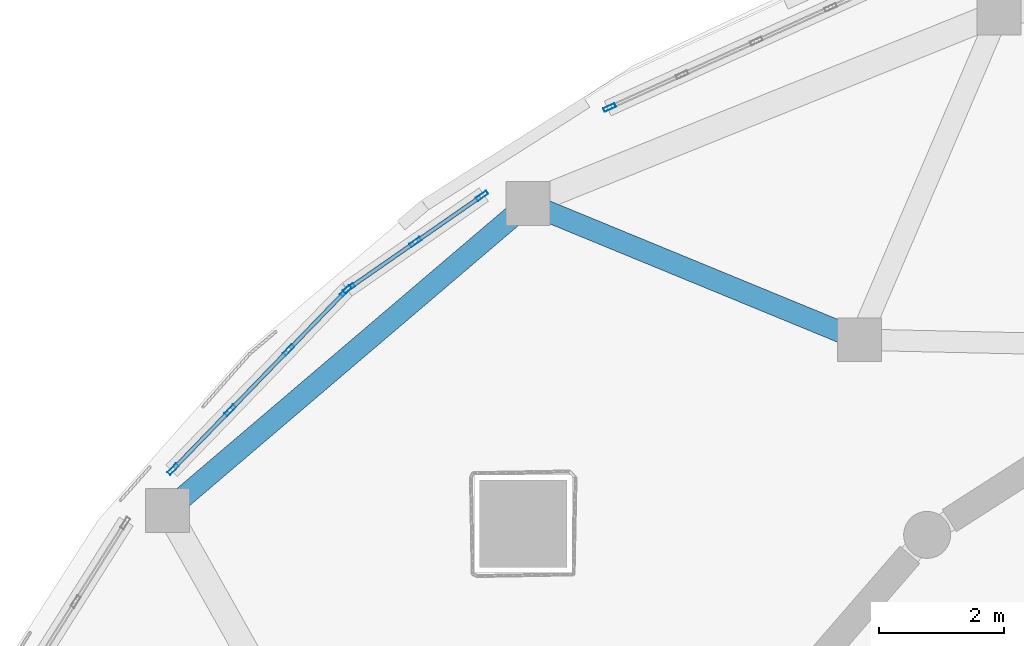
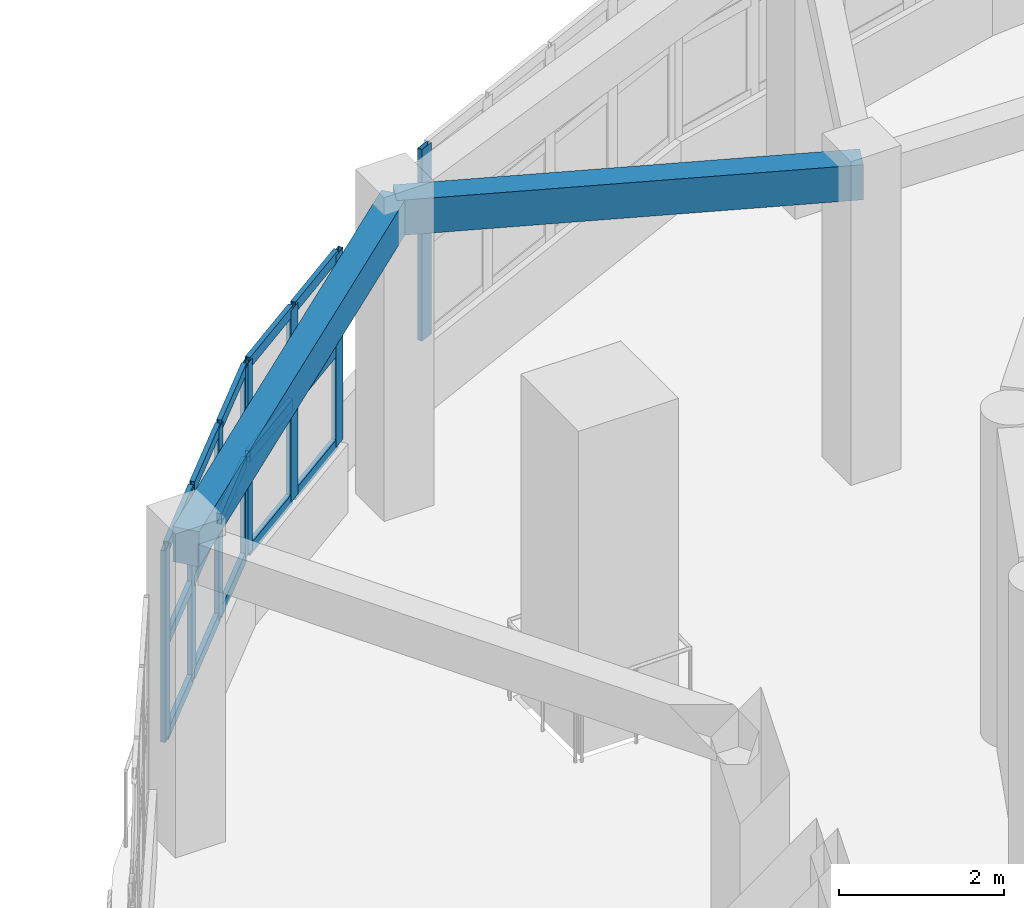
# One storey, part 42 of 98: 23 members, 2 beams, 3 elements without a shape of their own.
"""IFC4 building model written with IfcOpenShell, lengths in metres."""

from ifc_helpers import new_model, si_unit, direction, frame, origin, origin_2d, place, context, subcontext, project, spatial, rectangle, hollow_rectangle, extrude, material, layer, layer_set, material_profile, profile_set, type_object, element, aggregate, save


model = new_model("IFC4")

# Units and contexts
model_context = context("Model", 3, precision=1e-05, world=origin(), true_north=direction((0.0, 1.0)))
body_context = subcontext(model_context, "Body", "Model", "MODEL_VIEW")
ifc_project = project(units=[si_unit("LENGTHUNIT", "METRE"), si_unit("AREAUNIT", "SQUARE_METRE"), si_unit("VOLUMEUNIT", "CUBIC_METRE"), si_unit("PLANEANGLEUNIT", "RADIAN"), si_unit("MASSUNIT", "GRAM", prefix="KILO")], contexts=[model_context])

# Site, building, storey
site_placement = place(None, origin())
site = spatial("IfcSite", under=ifc_project, at=site_placement, CompositionType="ELEMENT")
building_placement = place(site_placement, origin())
building = spatial("IfcBuilding", under=site, at=building_placement, Name="Pelvatis Terrace Science Centre", CompositionType="ELEMENT")
storey_placement = place(building_placement, frame((0.0, 0.0, 5.39990234375)))
storey = spatial("IfcBuildingStorey", under=building, at=storey_placement, Name="L01", CompositionType="ELEMENT", Elevation=5.39990234375)

# Beams
ifc_material_1 = material(Name="Concrete C35/45", Category="concrete")
ifc_material_profile_1 = material_profile(ifc_material_1, rectangle(XDim=0.340087890625, YDim=0.52001953125, at=origin_2d()), Name="RC-BM 340x520")
ifc_profile_set_1 = profile_set([ifc_material_profile_1], Name="Concrete C35/45")
beam_type = type_object("IfcBeamType", Name="BM-RC-340x520", PredefinedType="BEAM", material=ifc_profile_set_1)
beam_1_placement = place(storey_placement, frame((94.575927734375, 100.61376953125, 4.280029296875), z_axis=(-0.761281604666, -0.64842140495, 0.0), x_axis=(0.64842140495, -0.761281604666, 0.0)))
element("IfcBeam", 1, at=beam_1_placement, inside=storey, type_object=beam_type, Name="Beam BM-L01-2633", PredefinedType="BEAM", context=body_context, shape_type="SweptSolid", body=[
    extrude(rectangle(XDim=0.340087890625, YDim=0.52001953125, at=origin_2d()), origin(), (0.0, 0.0, 1.0), 7.560546875),
])
beam_2_placement = place(storey_placement, frame((94.575927734375, 100.61376953125, 4.280029296875), z_axis=(0.924857425054, -0.380314006214, 0.0), x_axis=(0.380314006214, 0.924857425054, 0.0)))
element("IfcBeam", 2, at=beam_2_placement, inside=storey, type_object=beam_type, Name="Beam BM-L01-2634", PredefinedType="BEAM", context=body_context, shape_type="SweptSolid", body=[
    extrude(rectangle(XDim=0.340087890625, YDim=0.52001953125, at=origin_2d()), origin(), (0.0, 0.0, 1.0), 5.720458984375),
])

# Curtain wall, member
ifc_material_2 = material(Name="Bronze-anodised aluminium and laminated glass", Category="aluminium")
ifc_layer = layer(ifc_material_2, 0.199951171875)
ifc_layer_set = layer_set([ifc_layer], Name="Bronze-anodised aluminium and laminated glass")
curtain_wall_type = type_object("IfcCurtainWallType", Name="CW-RIBBON-B", PredefinedType="NOTDEFINED", material=ifc_layer_set)
curtain_wall_1_placement = place(storey_placement, origin())
curtain_wall_1 = element("IfcCurtainWall", 3, at=curtain_wall_1_placement, inside=storey, type_object=curtain_wall_type, Name="Ribbon curtain wall CW-135 (L01)", PredefinedType="NOTDEFINED")
ifc_material_3 = material(Name="Bronze-anodised aluminium 6063-T6", Category="aluminium")
ifc_material_profile_2 = material_profile(ifc_material_3, hollow_rectangle(XDim=0.06494140625, YDim=0.199951171875, WallThickness=0.00439453125, at=origin_2d()), Name="ALU-MUL 65x200")
ifc_profile_set_2 = profile_set([ifc_material_profile_2], Name="Bronze-anodised aluminium 6063-T6")
member_type_1 = type_object("IfcMemberType", Name="CWM-65x200", PredefinedType="MULLION", material=ifc_profile_set_2)
member_1_placement = place(storey_placement, frame((95.879150390625, 102.14501953125, 1.02001953125), z_axis=(0.0, 0.0, 1.0), x_axis=(0.412428504596, -0.910989971732, 0.0)))
member_1 = element("IfcMember", 4, at=member_1_placement, type_object=member_type_1, Name="CW-135 mullion 5", PredefinedType="MULLION", context=body_context, shape_type="SweptSolid", body=[
    extrude(hollow_rectangle(XDim=0.06494140625, YDim=0.199951171875, WallThickness=0.00439453125, at=origin_2d()), origin(), (0.0, 0.0, 1.0), 2.840087890625),
])
aggregate(curtain_wall_1, [member_1])

# Curtain wall, members
curtain_wall_2_placement = place(storey_placement, origin())
curtain_wall_2 = element("IfcCurtainWall", 5, at=curtain_wall_2_placement, inside=storey, type_object=curtain_wall_type, Name="Ribbon curtain wall CW-136 (L01)", PredefinedType="NOTDEFINED")
member_2_placement = place(storey_placement, frame((93.84228515625, 100.736328125, 1.02001953125), z_axis=(0.0, 0.0, 1.0), x_axis=(0.570753090857, -0.821121738402, 0.0)))
member_2 = element("IfcMember", 6, at=member_2_placement, type_object=member_type_1, Name="CW-136 mullion 1", PredefinedType="MULLION", context=body_context, shape_type="SweptSolid", body=[
    extrude(hollow_rectangle(XDim=0.06494140625, YDim=0.199951171875, WallThickness=0.00439453125, at=origin_2d()), origin(), (0.0, 0.0, 1.0), 2.840087890625),
])
member_3_placement = place(storey_placement, frame((92.779296875, 99.99755859375, 1.02001953125), z_axis=(0.0, 0.0, 1.0), x_axis=(0.570753090857, -0.821121738402, 0.0)))
member_3 = element("IfcMember", 7, at=member_3_placement, type_object=member_type_1, Name="CW-136 mullion 2", PredefinedType="MULLION", context=body_context, shape_type="SweptSolid", body=[
    extrude(hollow_rectangle(XDim=0.06494140625, YDim=0.199951171875, WallThickness=0.00439453125, at=origin_2d()), origin(), (0.0, 0.0, 1.0), 2.840087890625),
])
member_4_placement = place(storey_placement, frame((91.716552734375, 99.2587890625, 1.02001953125), z_axis=(0.0, 0.0, 1.0), x_axis=(0.570753090857, -0.821121738402, 0.0)))
member_4 = element("IfcMember", 8, at=member_4_placement, type_object=member_type_1, Name="CW-136 mullion 3", PredefinedType="MULLION", context=body_context, shape_type="SweptSolid", body=[
    extrude(hollow_rectangle(XDim=0.06494140625, YDim=0.199951171875, WallThickness=0.00439453125, at=origin_2d()), origin(), (0.0, 0.0, 1.0), 2.840087890625),
])

curtain_wall_3_placement = place(storey_placement, origin())
curtain_wall_3 = element("IfcCurtainWall", 9, at=curtain_wall_3_placement, inside=storey, type_object=curtain_wall_type, Name="Ribbon curtain wall CW-137 (L01)", PredefinedType="NOTDEFINED")
member_5_placement = place(storey_placement, frame((91.667236328125, 99.216796875, 1.02001953125), z_axis=(0.0, 0.0, 1.0), x_axis=(0.718169709037, -0.695867996837, 0.0)))
member_5 = element("IfcMember", 10, at=member_5_placement, type_object=member_type_1, Name="CW-137 mullion 1", PredefinedType="MULLION", context=body_context, shape_type="SweptSolid", body=[
    extrude(hollow_rectangle(XDim=0.06494140625, YDim=0.199951171875, WallThickness=0.00439453125, at=origin_2d()), origin(), (0.0, 0.0, 1.0), 2.840087890625),
])
member_6_placement = place(storey_placement, frame((90.7548828125, 98.275146484375, 1.02001953125), z_axis=(0.0, 0.0, 1.0), x_axis=(0.718169709037, -0.695867996837, 0.0)))
member_6 = element("IfcMember", 11, at=member_6_placement, type_object=member_type_1, Name="CW-137 mullion 2", PredefinedType="MULLION", context=body_context, shape_type="SweptSolid", body=[
    extrude(hollow_rectangle(XDim=0.06494140625, YDim=0.199951171875, WallThickness=0.00439453125, at=origin_2d()), origin(), (0.0, 0.0, 1.0), 2.840087890625),
])
member_7_placement = place(storey_placement, frame((89.81982421875, 97.310302734375, 1.02001953125), z_axis=(0.0, 0.0, 1.0), x_axis=(0.718169709037, -0.695867996837, 0.0)))
member_7 = element("IfcMember", 12, at=member_7_placement, type_object=member_type_1, Name="CW-137 mullion 3", PredefinedType="MULLION", context=body_context, shape_type="SweptSolid", body=[
    extrude(hollow_rectangle(XDim=0.06494140625, YDim=0.199951171875, WallThickness=0.00439453125, at=origin_2d()), origin(), (0.0, 0.0, 1.0), 2.840087890625),
])
member_8_placement = place(storey_placement, frame((88.907470703125, 96.36865234375, 1.02001953125), z_axis=(0.0, 0.0, 1.0), x_axis=(0.718169709037, -0.695867996837, 0.0)))
member_8 = element("IfcMember", 13, at=member_8_placement, type_object=member_type_1, Name="CW-137 mullion 4", PredefinedType="MULLION", context=body_context, shape_type="SweptSolid", body=[
    extrude(hollow_rectangle(XDim=0.06494140625, YDim=0.199951171875, WallThickness=0.00439453125, at=origin_2d()), origin(), (0.0, 0.0, 1.0), 2.840087890625),
])

# Member
ifc_material_4 = material(Name="Bronze-anodised aluminium 6063-T6", Category="aluminium")
ifc_material_profile_3 = material_profile(ifc_material_4, hollow_rectangle(XDim=0.06494140625, YDim=0.159912109375, WallThickness=0.00390625, at=origin_2d()), Name="ALU-TRN 65x160")
ifc_profile_set_3 = profile_set([ifc_material_profile_3], Name="Bronze-anodised aluminium 6063-T6")
member_type_2 = type_object("IfcMemberType", Name="CWT-65x160", PredefinedType="USERDEFINED", material=ifc_profile_set_3)
member_9_placement = place(storey_placement, frame((93.8154296875, 100.7177734375, 1.052490234375), z_axis=(-0.821075190123, -0.57082005235, 0.0), x_axis=(0.57082005235, -0.821075190123, 0.0)))
member_9 = element("IfcMember", 14, at=member_9_placement, type_object=member_type_2, Name="CW-136 transom 1.1", ObjectType="TRANSOM", PredefinedType="USERDEFINED", context=body_context, shape_type="SweptSolid", body=[
    extrude(hollow_rectangle(XDim=0.06494140625, YDim=0.159912109375, WallThickness=0.00390625, at=origin_2d()), origin(), (0.0, 0.0, 1.0), 1.229248046875),
])

member_10_placement = place(storey_placement, frame((93.8154296875, 100.7177734375, 2.440185546875), z_axis=(-0.821075190123, -0.57082005235, 0.0), x_axis=(0.57082005235, -0.821075190123, 0.0)))
member_10 = element("IfcMember", 15, at=member_10_placement, type_object=member_type_2, Name="CW-136 transom 1.2", ObjectType="TRANSOM", PredefinedType="USERDEFINED", context=body_context, shape_type="SweptSolid", body=[
    extrude(hollow_rectangle(XDim=0.06494140625, YDim=0.159912109375, WallThickness=0.00390625, at=origin_2d()), origin(), (0.0, 0.0, 1.0), 1.229248046875),
])

member_11_placement = place(storey_placement, frame((93.8154296875, 100.7177734375, 3.82763671875), z_axis=(-0.821075190123, -0.57082005235, 0.0), x_axis=(0.57082005235, -0.821075190123, 0.0)))
member_11 = element("IfcMember", 16, at=member_11_placement, type_object=member_type_2, Name="CW-136 transom 1.3", ObjectType="TRANSOM", PredefinedType="USERDEFINED", context=body_context, shape_type="SweptSolid", body=[
    extrude(hollow_rectangle(XDim=0.06494140625, YDim=0.159912109375, WallThickness=0.00390625, at=origin_2d()), origin(), (0.0, 0.0, 1.0), 1.229248046875),
])

member_12_placement = place(storey_placement, frame((92.752685546875, 99.97900390625, 1.052490234375), z_axis=(-0.821139890181, -0.570726975666, 0.0), x_axis=(0.570726975666, -0.821139890181, 0.0)))
member_12 = element("IfcMember", 17, at=member_12_placement, type_object=member_type_2, Name="CW-136 transom 2.1", ObjectType="TRANSOM", PredefinedType="USERDEFINED", context=body_context, shape_type="SweptSolid", body=[
    extrude(hollow_rectangle(XDim=0.06494140625, YDim=0.159912109375, WallThickness=0.00390625, at=origin_2d()), origin(), (0.0, 0.0, 1.0), 1.2294921875),
])

member_13_placement = place(storey_placement, frame((92.752685546875, 99.97900390625, 2.440185546875), z_axis=(-0.821139890181, -0.570726975666, 0.0), x_axis=(0.570726975666, -0.821139890181, 0.0)))
member_13 = element("IfcMember", 18, at=member_13_placement, type_object=member_type_2, Name="CW-136 transom 2.2", ObjectType="TRANSOM", PredefinedType="USERDEFINED", context=body_context, shape_type="SweptSolid", body=[
    extrude(hollow_rectangle(XDim=0.06494140625, YDim=0.159912109375, WallThickness=0.00390625, at=origin_2d()), origin(), (0.0, 0.0, 1.0), 1.2294921875),
])

member_14_placement = place(storey_placement, frame((92.752685546875, 99.97900390625, 3.82763671875), z_axis=(-0.821139890181, -0.570726975666, 0.0), x_axis=(0.570726975666, -0.821139890181, 0.0)))
member_14 = element("IfcMember", 19, at=member_14_placement, type_object=member_type_2, Name="CW-136 transom 2.3", ObjectType="TRANSOM", PredefinedType="USERDEFINED", context=body_context, shape_type="SweptSolid", body=[
    extrude(hollow_rectangle(XDim=0.06494140625, YDim=0.159912109375, WallThickness=0.00390625, at=origin_2d()), origin(), (0.0, 0.0, 1.0), 1.2294921875),
])

aggregate(curtain_wall_2, [member_2, member_3, member_4, member_9, member_10, member_11, member_12, member_13, member_14])

member_15_placement = place(storey_placement, frame((91.644775390625, 99.193603515625, 1.052490234375), z_axis=(-0.695852060436, -0.718185150213, 0.0), x_axis=(0.718185150213, -0.695852060436, 0.0)))
member_15 = element("IfcMember", 20, at=member_15_placement, type_object=member_type_2, Name="CW-137 transom 1.1", ObjectType="TRANSOM", PredefinedType="USERDEFINED", context=body_context, shape_type="SweptSolid", body=[
    extrude(hollow_rectangle(XDim=0.06494140625, YDim=0.159912109375, WallThickness=0.00390625, at=origin_2d()), origin(), (0.0, 0.0, 1.0), 1.246337890625),
])

member_16_placement = place(storey_placement, frame((91.644775390625, 99.193603515625, 2.440185546875), z_axis=(-0.695852060436, -0.718185150213, 0.0), x_axis=(0.718185150213, -0.695852060436, 0.0)))
member_16 = element("IfcMember", 21, at=member_16_placement, type_object=member_type_2, Name="CW-137 transom 1.2", ObjectType="TRANSOM", PredefinedType="USERDEFINED", context=body_context, shape_type="SweptSolid", body=[
    extrude(hollow_rectangle(XDim=0.06494140625, YDim=0.159912109375, WallThickness=0.00390625, at=origin_2d()), origin(), (0.0, 0.0, 1.0), 1.246337890625),
])

member_17_placement = place(storey_placement, frame((91.644775390625, 99.193603515625, 3.82763671875), z_axis=(-0.695852060436, -0.718185150213, 0.0), x_axis=(0.718185150213, -0.695852060436, 0.0)))
member_17 = element("IfcMember", 22, at=member_17_placement, type_object=member_type_2, Name="CW-137 transom 1.3", ObjectType="TRANSOM", PredefinedType="USERDEFINED", context=body_context, shape_type="SweptSolid", body=[
    extrude(hollow_rectangle(XDim=0.06494140625, YDim=0.159912109375, WallThickness=0.00390625, at=origin_2d()), origin(), (0.0, 0.0, 1.0), 1.246337890625),
])

member_18_placement = place(storey_placement, frame((90.732177734375, 98.251953125, 1.052490234375), z_axis=(-0.69575212287, -0.718281966585, 0.0), x_axis=(0.718281966585, -0.69575212287, 0.0)))
member_18 = element("IfcMember", 23, at=member_18_placement, type_object=member_type_2, Name="CW-137 transom 2.1", ObjectType="TRANSOM", PredefinedType="USERDEFINED", context=body_context, shape_type="SweptSolid", body=[
    extrude(hollow_rectangle(XDim=0.06494140625, YDim=0.159912109375, WallThickness=0.00390625, at=origin_2d()), origin(), (0.0, 0.0, 1.0), 1.278564453125),
])

member_19_placement = place(storey_placement, frame((90.732177734375, 98.251953125, 2.440185546875), z_axis=(-0.69575212287, -0.718281966585, 0.0), x_axis=(0.718281966585, -0.69575212287, 0.0)))
member_19 = element("IfcMember", 24, at=member_19_placement, type_object=member_type_2, Name="CW-137 transom 2.2", ObjectType="TRANSOM", PredefinedType="USERDEFINED", context=body_context, shape_type="SweptSolid", body=[
    extrude(hollow_rectangle(XDim=0.06494140625, YDim=0.159912109375, WallThickness=0.00390625, at=origin_2d()), origin(), (0.0, 0.0, 1.0), 1.278564453125),
])

member_20_placement = place(storey_placement, frame((90.732177734375, 98.251953125, 3.82763671875), z_axis=(-0.69575212287, -0.718281966585, 0.0), x_axis=(0.718281966585, -0.69575212287, 0.0)))
member_20 = element("IfcMember", 25, at=member_20_placement, type_object=member_type_2, Name="CW-137 transom 2.3", ObjectType="TRANSOM", PredefinedType="USERDEFINED", context=body_context, shape_type="SweptSolid", body=[
    extrude(hollow_rectangle(XDim=0.06494140625, YDim=0.159912109375, WallThickness=0.00390625, at=origin_2d()), origin(), (0.0, 0.0, 1.0), 1.278564453125),
])

member_21_placement = place(storey_placement, frame((89.797119140625, 97.286865234375, 1.052490234375), z_axis=(-0.695852060436, -0.718185150213, 0.0), x_axis=(0.718185150213, -0.695852060436, 0.0)))
member_21 = element("IfcMember", 26, at=member_21_placement, type_object=member_type_2, Name="CW-137 transom 3.1", ObjectType="TRANSOM", PredefinedType="USERDEFINED", context=body_context, shape_type="SweptSolid", body=[
    extrude(hollow_rectangle(XDim=0.06494140625, YDim=0.159912109375, WallThickness=0.00390625, at=origin_2d()), origin(), (0.0, 0.0, 1.0), 1.246337890625),
])

member_22_placement = place(storey_placement, frame((89.797119140625, 97.286865234375, 2.440185546875), z_axis=(-0.695852060436, -0.718185150213, 0.0), x_axis=(0.718185150213, -0.695852060436, 0.0)))
member_22 = element("IfcMember", 27, at=member_22_placement, type_object=member_type_2, Name="CW-137 transom 3.2", ObjectType="TRANSOM", PredefinedType="USERDEFINED", context=body_context, shape_type="SweptSolid", body=[
    extrude(hollow_rectangle(XDim=0.06494140625, YDim=0.159912109375, WallThickness=0.00390625, at=origin_2d()), origin(), (0.0, 0.0, 1.0), 1.246337890625),
])

member_23_placement = place(storey_placement, frame((89.797119140625, 97.286865234375, 3.82763671875), z_axis=(-0.695852060436, -0.718185150213, 0.0), x_axis=(0.718185150213, -0.695852060436, 0.0)))
member_23 = element("IfcMember", 28, at=member_23_placement, type_object=member_type_2, Name="CW-137 transom 3.3", ObjectType="TRANSOM", PredefinedType="USERDEFINED", context=body_context, shape_type="SweptSolid", body=[
    extrude(hollow_rectangle(XDim=0.06494140625, YDim=0.159912109375, WallThickness=0.00390625, at=origin_2d()), origin(), (0.0, 0.0, 1.0), 1.246337890625),
])

aggregate(curtain_wall_3, [member_5, member_6, member_7, member_8, member_15, member_16, member_17, member_18, member_19, member_20, member_21, member_22, member_23])

save(model, "model.ifc")
